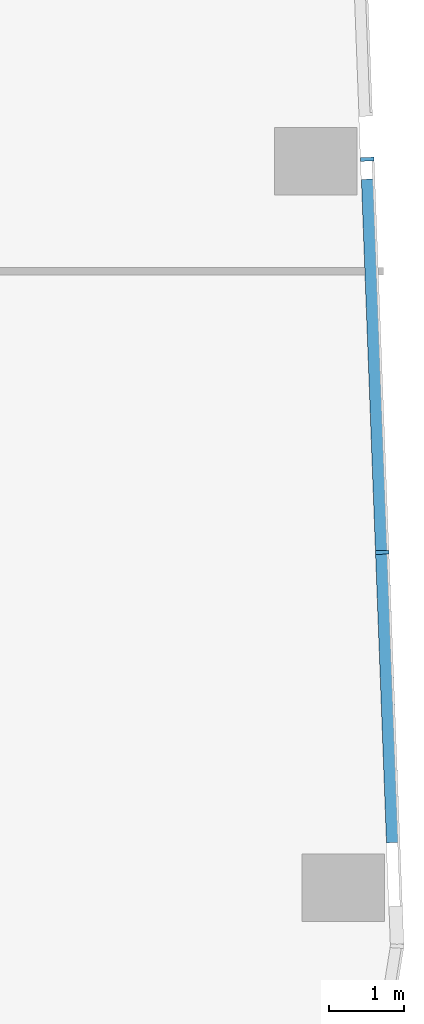
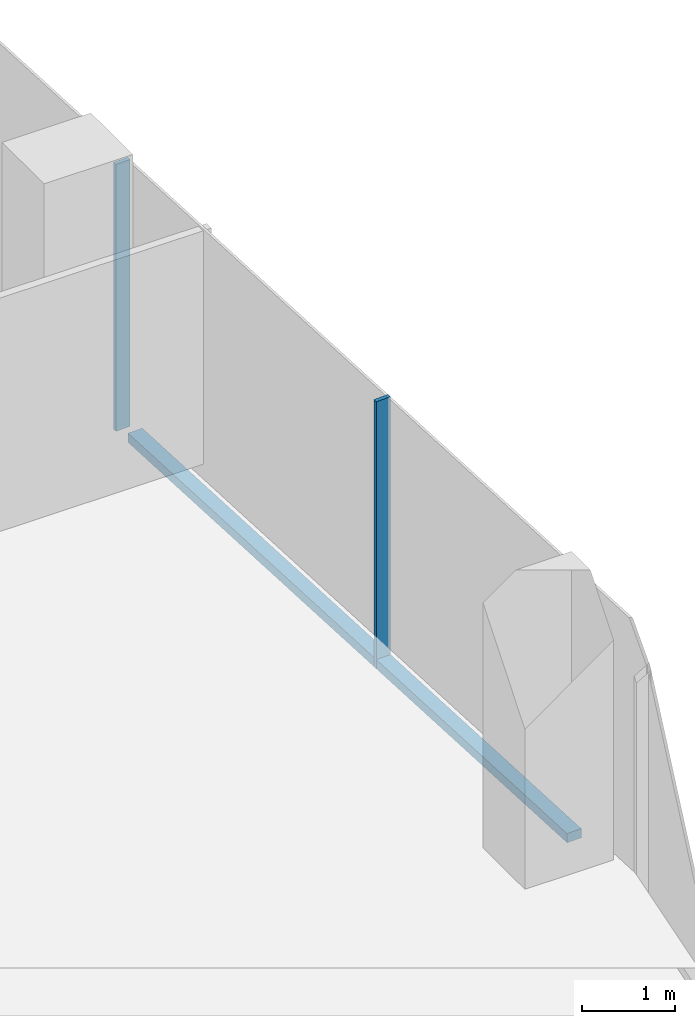
# One storey, part 9 of 24: 3 members, 1 element without a shape of its own.
"""IFC4 building model written with IfcOpenShell, lengths in metres."""

from ifc_helpers import new_model, si_unit, direction, frame, origin, origin_2d, place, context, subcontext, project, spatial, rectangle, extrude, material, material_profile, profile_set, type_object, element, aggregate, save


model = new_model("IFC4")

# Units and contexts
model_context = context("Model", 3, precision=1e-05, world=origin(), true_north=direction((0.0, 1.0)))
body_context = subcontext(model_context, "Body", "Model", "MODEL_VIEW")
ifc_project = project(units=[si_unit("LENGTHUNIT", "METRE"), si_unit("AREAUNIT", "SQUARE_METRE"), si_unit("VOLUMEUNIT", "CUBIC_METRE"), si_unit("PLANEANGLEUNIT", "RADIAN"), si_unit("MASSUNIT", "GRAM", prefix="KILO")], contexts=[model_context])

# Site, building, storey
site_placement = place(None, origin())
site = spatial("IfcSite", under=ifc_project, at=site_placement, CompositionType="ELEMENT")
building_placement = place(site_placement, origin())
building = spatial("IfcBuilding", under=site, at=building_placement, Name="Orlundy Tower", CompositionType="ELEMENT")
storey_placement = place(building_placement, frame((0.0, 0.0, 177.60009765625)))
storey = spatial("IfcBuildingStorey", under=building, at=storey_placement, Name="L46", CompositionType="ELEMENT", Elevation=177.60009765625)

# Curtain wall, members
ifc_material_1 = material(Name="Aluminium bronze anodised", Category="aluminium")
curtain_wall_type = type_object("IfcCurtainWallType", Name="CW1 wall", PredefinedType="NOTDEFINED", material=ifc_material_1)
curtain_wall_placement = place(storey_placement, origin())
curtain_wall = element("IfcCurtainWall", 1, at=curtain_wall_placement, inside=storey, type_object=curtain_wall_type, Name="CW1 run 011", PredefinedType="NOTDEFINED")
ifc_material_2 = material(Name="Aluminium bronze anodised", Category="aluminium")
ifc_material_profile_1 = material_profile(ifc_material_2, rectangle(XDim=0.179931640625, YDim=0.050048828125, at=origin_2d()), Name="CW1 mullion 50x180")
ifc_profile_set_1 = profile_set([ifc_material_profile_1], Name="Aluminium bronze anodised")
member_type_1 = type_object("IfcMemberType", Name="CW1 mullion 50x180", PredefinedType="MULLION", material=ifc_profile_set_1)
member_1_placement = place(storey_placement, frame((39.56201171875, 1.496826171875, -0.420166015625), z_axis=(0.0, 0.0, 1.0), x_axis=(0.999284965389, 0.03780949547, 0.0)))
member_1 = element("IfcMember", 2, at=member_1_placement, type_object=member_type_1, Name="CW1 mullion 34", PredefinedType="MULLION", context=body_context, shape_type="SweptSolid", body=[
    extrude(rectangle(XDim=0.179931640625, YDim=0.050048828125, at=origin_2d()), origin(), (0.0, 0.0, 1.0), 3.5),
])
member_2_placement = place(storey_placement, frame((39.760498046875, -3.749267578125, -0.420166015625), z_axis=(0.0, 0.0, 1.0), x_axis=(0.999284965389, 0.03780949547, 0.0)))
member_2 = element("IfcMember", 3, at=member_2_placement, type_object=member_type_1, Name="CW1 mullion 35", PredefinedType="MULLION", context=body_context, shape_type="SweptSolid", body=[
    extrude(rectangle(XDim=0.179931640625, YDim=0.050048828125, at=origin_2d()), origin(), (0.0, 0.0, 1.0), 3.5),
])
ifc_material_3 = material(Name="Aluminium bronze anodised", Category="aluminium")
ifc_material_profile_2 = material_profile(ifc_material_3, rectangle(XDim=0.179931640625, YDim=0.1201171875, at=origin_2d()), Name="CW1 transom 180x120")
ifc_profile_set_2 = profile_set([ifc_material_profile_2], Name="Aluminium bronze anodised")
member_type_2 = type_object("IfcMemberType", Name="CW1 transom 180x120", PredefinedType="USERDEFINED", material=ifc_profile_set_2)
member_3_placement = place(storey_placement, frame((39.572021484375, 1.23095703125, -0.360107421875), z_axis=(0.037808698194, -0.999284995555, 0.0), x_axis=(0.999284995555, 0.037808698194, 0.0)))
member_3 = element("IfcMember", 4, at=member_3_placement, type_object=member_type_2, Name="CW1 transom", ObjectType="TRANSOM", PredefinedType="USERDEFINED", context=body_context, shape_type="SweptSolid", body=[
    extrude(rectangle(XDim=0.179931640625, YDim=0.1201171875, at=origin_2d()), origin(), (0.0, 0.0, 1.0), 8.859375),
])
aggregate(curtain_wall, [member_1, member_2, member_3])

save(model, "model.ifc")
